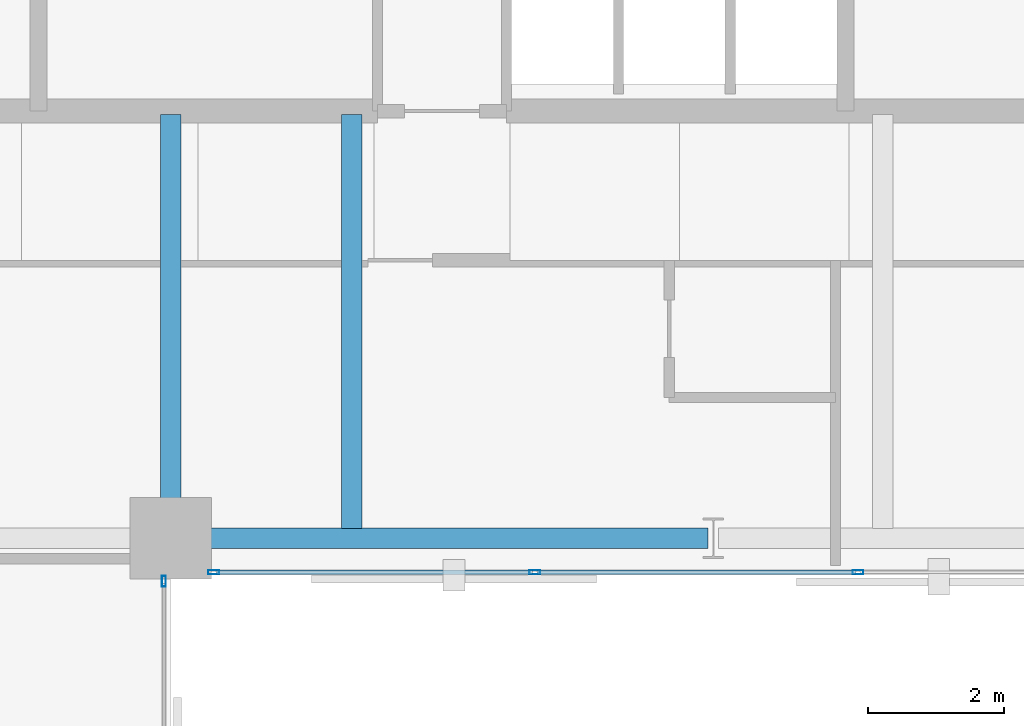
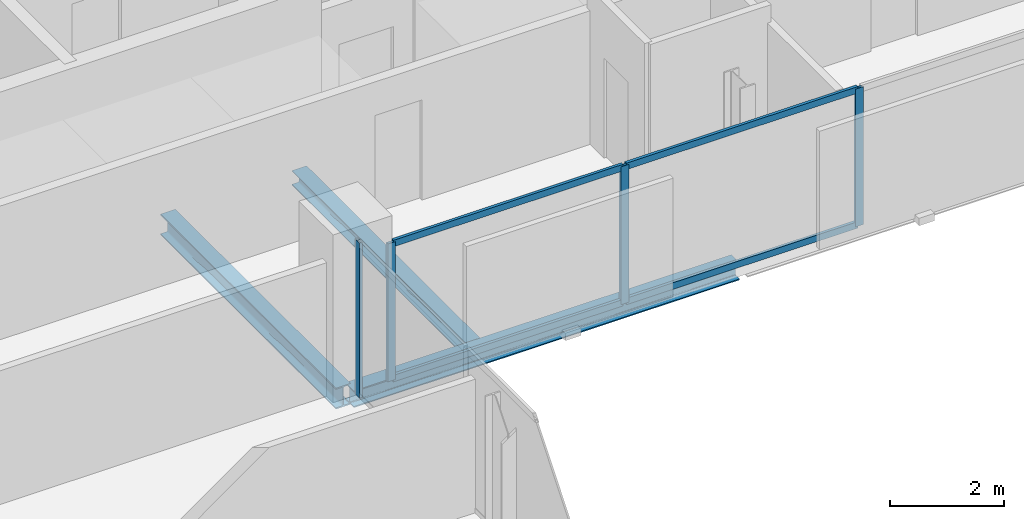
# One storey, part 13 of 32: 8 members, 3 beams, 2 elements without a shape of their own.
"""IFC4 building model written with IfcOpenShell, lengths in metres."""

from ifc_helpers import new_model, si_unit, direction, frame, origin, origin_2d, place, context, subcontext, project, spatial, hollow_rectangle, i_section, extrude, material, layer, layer_set, material_profile, profile_set, type_object, element, aggregate, save


model = new_model("IFC4")

# Units and contexts
model_context = context("Model", 3, precision=1e-05, world=origin(), true_north=direction((0.0, 1.0)))
body_context = subcontext(model_context, "Body", "Model", "MODEL_VIEW")
ifc_project = project(units=[si_unit("LENGTHUNIT", "METRE"), si_unit("AREAUNIT", "SQUARE_METRE"), si_unit("VOLUMEUNIT", "CUBIC_METRE"), si_unit("PLANEANGLEUNIT", "RADIAN"), si_unit("MASSUNIT", "GRAM", prefix="KILO")], contexts=[model_context])

# Site, building, storey
site_placement = place(None, origin())
site = spatial("IfcSite", under=ifc_project, at=site_placement, CompositionType="ELEMENT")
building_placement = place(site_placement, origin())
building = spatial("IfcBuilding", under=site, at=building_placement, Name="Catumbela Crestline Tower", CompositionType="ELEMENT")
storey_placement = place(building_placement, frame((0.0, 0.0, 126.0)))
storey = spatial("IfcBuildingStorey", under=building, at=storey_placement, Name="L32", CompositionType="ELEMENT", Elevation=126.0)

# Beams
ifc_material_1 = material(Name="Structural steel S355J2", Category="steel")
ifc_material_profile_1 = material_profile(ifc_material_1, i_section(OverallWidth=0.3, OverallDepth=0.45, WebThickness=0.014, FlangeThickness=0.026, FilletRadius=0.027, at=origin_2d()), Name="HEB 450")
ifc_profile_set_1 = profile_set([ifc_material_profile_1], Name="Structural steel S355J2")
beam_type_1 = type_object("IfcBeamType", Name="BG-HEB450", PredefinedType="BEAM", material=ifc_profile_set_1)
beam_1_placement = place(storey_placement, frame((24.0, 24.58, -0.485), z_axis=(0.0, 1.0, 0.0), x_axis=(-1.0, 0.0, 0.0)))
element("IfcBeam", 1, at=beam_1_placement, inside=storey, type_object=beam_type_1, Name="L32 Beam BM-L32-SNS29", PredefinedType="BEAM", context=body_context, shape_type="SweptSolid", body=[
    extrude(i_section(OverallWidth=0.3, OverallDepth=0.45, WebThickness=0.014, FlangeThickness=0.026, FilletRadius=0.027, at=origin_2d()), origin(), (0.0, 0.0, 1.0), 6.17),
])
ifc_material_profile_2 = material_profile(ifc_material_1, i_section(OverallWidth=0.3, OverallDepth=0.31, WebThickness=0.009, FlangeThickness=0.0155, FilletRadius=0.027, at=origin_2d()), Name="HEA 320")
ifc_profile_set_2 = profile_set([ifc_material_profile_2], Name="Structural steel S355J2")
beam_type_2 = type_object("IfcBeamType", Name="BJ-HEA320", PredefinedType="JOIST", material=ifc_profile_set_2)
beam_2_placement = place(storey_placement, frame((26.667, 24.647, -0.415), z_axis=(0.0, 1.0, 0.0), x_axis=(-1.0, 0.0, 0.0)))
element("IfcBeam", 2, at=beam_2_placement, inside=storey, type_object=beam_type_2, Name="L32 Joist JS-L32-SP39", PredefinedType="JOIST", context=body_context, shape_type="SweptSolid", body=[
    extrude(i_section(OverallWidth=0.3, OverallDepth=0.31, WebThickness=0.009, FlangeThickness=0.0155, FilletRadius=0.027, at=origin_2d()), origin(), (0.0, 0.0, 1.0), 6.103),
])

# Curtain wall, member
ifc_material_2 = material(Name="Aluminium alloy AW-6060-T66", Category="aluminium")
ifc_layer = layer(ifc_material_2, 0.18, Name="Aluminium alloy AW-6060-T66")
ifc_layer_set = layer_set([ifc_layer], Name="Aluminium alloy AW-6060-T66")
curtain_wall_type = type_object("IfcCurtainWallType", Name="CWU-Z2", PredefinedType="USERDEFINED", material=ifc_layer_set)
curtain_wall_1_placement = place(storey_placement, origin())
curtain_wall_1 = element("IfcCurtainWall", 3, at=curtain_wall_1_placement, inside=storey, type_object=curtain_wall_type, Name="L32 Unitised Curtain Wall CW-L32-E2S1", ObjectType="UNITISED", PredefinedType="USERDEFINED")
ifc_material_profile_3 = material_profile(ifc_material_2, hollow_rectangle(XDim=0.06, YDim=0.16, WallThickness=0.004, at=origin_2d()), Name="ALU 160x60x4")
ifc_profile_set_3 = profile_set([ifc_material_profile_3], Name="Aluminium alloy AW-6060-T66")
member_type_1 = type_object("IfcMemberType", Name="MUL-160X60", PredefinedType="MULLION", material=ifc_profile_set_3)
member_1_placement = place(storey_placement, frame((23.9, 23.8675, 0.0), z_axis=(0.0, 0.0, 1.0), x_axis=(-1.0, 0.0, 0.0)))
member_1 = element("IfcMember", 4, at=member_1_placement, type_object=member_type_1, Name="CWU-Z2 mullion 5", PredefinedType="MULLION", context=body_context, shape_type="SweptSolid", body=[
    extrude(hollow_rectangle(XDim=0.06, YDim=0.16, WallThickness=0.004, at=origin_2d()), origin(), (0.0, 0.0, 1.0), 3.33),
])
aggregate(curtain_wall_1, [member_1])

# Curtain wall, members
curtain_wall_2_placement = place(storey_placement, origin())
curtain_wall_2 = element("IfcCurtainWall", 5, at=curtain_wall_2_placement, inside=storey, type_object=curtain_wall_type, Name="L32 Unitised Curtain Wall CW-L32-E3S1", ObjectType="UNITISED", PredefinedType="USERDEFINED")
member_2_placement = place(storey_placement, frame((24.6325, 24.0, 0.0), z_axis=(0.0, 0.0, 1.0), x_axis=(0.0, 1.0, 0.0)))
member_2 = element("IfcMember", 6, at=member_2_placement, type_object=member_type_1, Name="CWU-Z2 mullion 1", PredefinedType="MULLION", context=body_context, shape_type="SweptSolid", body=[
    extrude(hollow_rectangle(XDim=0.06, YDim=0.16, WallThickness=0.004, at=origin_2d()), origin(), (0.0, 0.0, 1.0), 2.96),
])
member_3_placement = place(storey_placement, frame((29.3667, 24.0, 0.0), z_axis=(0.0, 0.0, 1.0), x_axis=(0.0, 1.0, 0.0)))
member_3 = element("IfcMember", 7, at=member_3_placement, type_object=member_type_1, Name="CWU-Z2 mullion 2", PredefinedType="MULLION", context=body_context, shape_type="SweptSolid", body=[
    extrude(hollow_rectangle(XDim=0.06, YDim=0.16, WallThickness=0.004, at=origin_2d()), origin(), (0.0, 0.0, 1.0), 2.96),
])
member_4_placement = place(storey_placement, frame((34.1333, 24.0, 0.0), z_axis=(0.0, 0.0, 1.0), x_axis=(0.0, 1.0, 0.0)))
member_4 = element("IfcMember", 8, at=member_4_placement, type_object=member_type_1, Name="CWU-Z2 mullion 3", PredefinedType="MULLION", context=body_context, shape_type="SweptSolid", body=[
    extrude(hollow_rectangle(XDim=0.06, YDim=0.16, WallThickness=0.004, at=origin_2d()), origin(), (0.0, 0.0, 1.0), 2.96),
])

# Beam
ifc_material_profile_4 = material_profile(ifc_material_1, i_section(OverallWidth=0.3, OverallDepth=0.36, WebThickness=0.0125, FlangeThickness=0.0225, FilletRadius=0.027, at=origin_2d()), Name="HEB 360")
ifc_profile_set_4 = profile_set([ifc_material_profile_4], Name="Structural steel S355J2")
beam_type_3 = type_object("IfcBeamType", Name="BS-HEB360", PredefinedType="SPANDREL", material=ifc_profile_set_4)
beam_3_placement = place(storey_placement, frame((24.08, 24.5, -0.44), z_axis=(1.0, 0.0, 0.0), x_axis=(0.0, 1.0, 0.0)))
element("IfcBeam", 9, at=beam_3_placement, inside=storey, type_object=beam_type_3, Name="L32 Spandrel SP-L32-S05", PredefinedType="SPANDREL", context=body_context, shape_type="SweptSolid", body=[
    extrude(i_section(OverallWidth=0.3, OverallDepth=0.36, WebThickness=0.0125, FlangeThickness=0.0225, FilletRadius=0.027, at=origin_2d()), origin(), (0.0, 0.0, 1.0), 7.84),
])

# Member
ifc_material_profile_5 = material_profile(ifc_material_2, hollow_rectangle(XDim=0.06, YDim=0.14, WallThickness=0.004, at=origin_2d()), Name="ALU 140x60x4")
ifc_profile_set_5 = profile_set([ifc_material_profile_5], Name="Aluminium alloy AW-6060-T66")
member_type_2 = type_object("IfcMemberType", Name="TRN-140X60", PredefinedType="USERDEFINED", material=ifc_profile_set_5)
member_5_placement = place(storey_placement, frame((24.665, 24.0, 0.03), z_axis=(1.0, 0.0, 0.0), x_axis=(0.0, 1.0, 0.0)))
member_5 = element("IfcMember", 10, at=member_5_placement, type_object=member_type_2, Name="CWU-Z2 transom 1.1", ObjectType="TRANSOM", PredefinedType="USERDEFINED", context=body_context, shape_type="SweptSolid", body=[
    extrude(hollow_rectangle(XDim=0.06, YDim=0.14, WallThickness=0.004, at=origin_2d()), origin(), (0.0, 0.0, 1.0), 4.6692),
])

member_6_placement = place(storey_placement, frame((24.665, 24.0, 2.93), z_axis=(1.0, 0.0, 0.0), x_axis=(0.0, 1.0, 0.0)))
member_6 = element("IfcMember", 11, at=member_6_placement, type_object=member_type_2, Name="CWU-Z2 transom 1.2", ObjectType="TRANSOM", PredefinedType="USERDEFINED", context=body_context, shape_type="SweptSolid", body=[
    extrude(hollow_rectangle(XDim=0.06, YDim=0.14, WallThickness=0.004, at=origin_2d()), origin(), (0.0, 0.0, 1.0), 4.6692),
])

member_7_placement = place(storey_placement, frame((29.3992, 24.0, 0.03), z_axis=(1.0, 0.0, 0.0), x_axis=(0.0, 1.0, 0.0)))
member_7 = element("IfcMember", 12, at=member_7_placement, type_object=member_type_2, Name="CWU-Z2 transom 2.1", ObjectType="TRANSOM", PredefinedType="USERDEFINED", context=body_context, shape_type="SweptSolid", body=[
    extrude(hollow_rectangle(XDim=0.06, YDim=0.14, WallThickness=0.004, at=origin_2d()), origin(), (0.0, 0.0, 1.0), 4.7016),
])

member_8_placement = place(storey_placement, frame((29.3992, 24.0, 2.93), z_axis=(1.0, 0.0, 0.0), x_axis=(0.0, 1.0, 0.0)))
member_8 = element("IfcMember", 13, at=member_8_placement, type_object=member_type_2, Name="CWU-Z2 transom 2.2", ObjectType="TRANSOM", PredefinedType="USERDEFINED", context=body_context, shape_type="SweptSolid", body=[
    extrude(hollow_rectangle(XDim=0.06, YDim=0.14, WallThickness=0.004, at=origin_2d()), origin(), (0.0, 0.0, 1.0), 4.7016),
])

aggregate(curtain_wall_2, [member_2, member_3, member_4, member_5, member_6, member_7, member_8])

save(model, "model.ifc")
